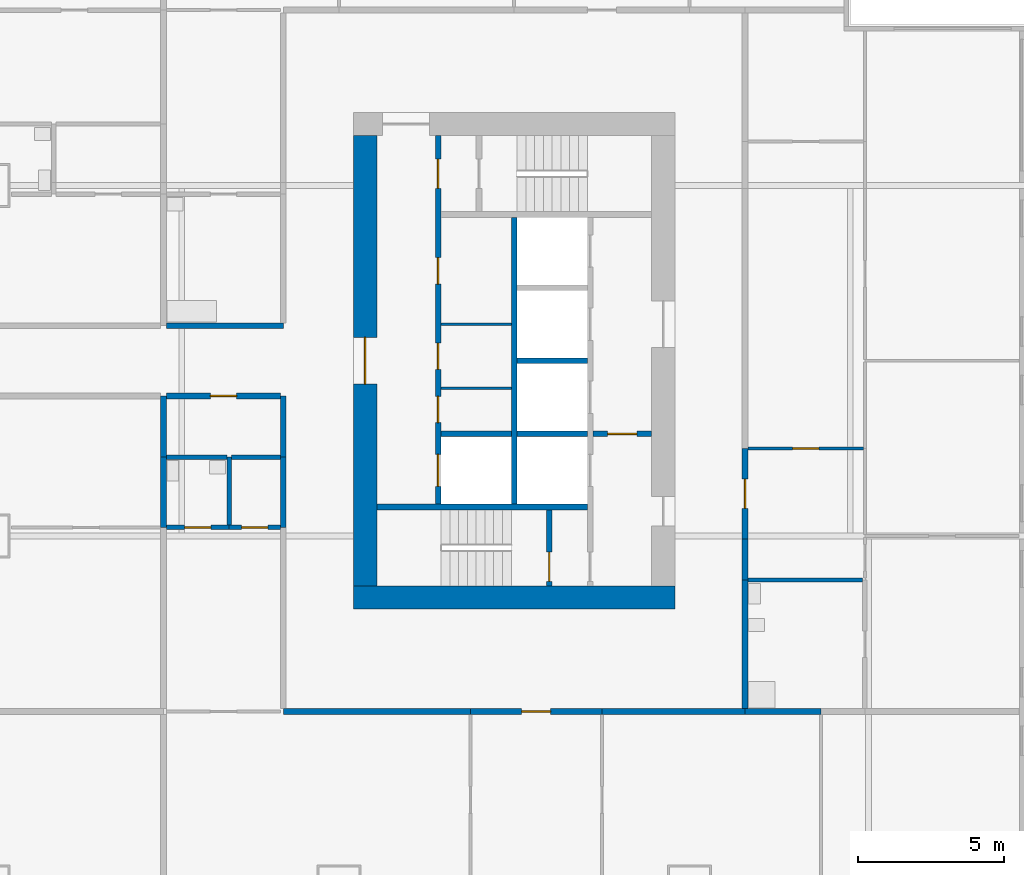
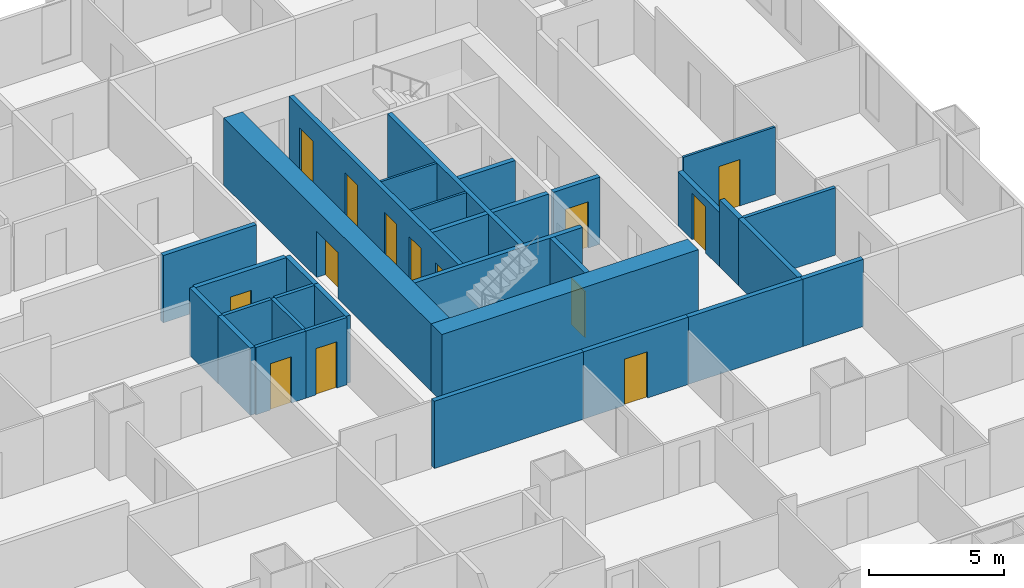
# One storey, part 7 of 14: 32 walls, 14 doors, 14 openings.
"""IFC4 building model written with IfcOpenShell, lengths in metres."""

from ifc_helpers import new_model, si_unit, direction, frame, frame_2d, origin, place, context, subcontext, project, spatial, rectangle, extrude, material, layer, layer_set, type_object, element, fill, save


model = new_model("IFC4")

# Units and contexts
model_context = context("Model", 3, precision=1e-05, world=origin(), true_north=direction((0.0, 1.0)))
body_context = subcontext(model_context, "Body", "Model", "MODEL_VIEW")
ifc_project = project(units=[si_unit("LENGTHUNIT", "METRE"), si_unit("AREAUNIT", "SQUARE_METRE"), si_unit("VOLUMEUNIT", "CUBIC_METRE"), si_unit("PLANEANGLEUNIT", "RADIAN"), si_unit("MASSUNIT", "GRAM", prefix="KILO")], contexts=[model_context])

# Site, building, storey
site_placement = place(None, origin())
site = spatial("IfcSite", under=ifc_project, at=site_placement, CompositionType="ELEMENT")
building_placement = place(site_placement, origin())
building = spatial("IfcBuilding", under=site, at=building_placement, Name="Kitamizu Gate Tower and Museum", CompositionType="ELEMENT")
storey_placement = place(building_placement, frame((0.0, 0.0, 54.14990234375)))
storey = spatial("IfcBuildingStorey", under=building, at=storey_placement, Name="L12", CompositionType="ELEMENT", Elevation=54.14990234375)

# Wall
ifc_material_1 = material(Name="Concrete Fc60", Category="concrete")
ifc_layer_1 = layer(ifc_material_1, 0.800048828125)
ifc_layer_set_1 = layer_set([ifc_layer_1], Name="Concrete Fc60")
wall_type_1 = type_object("IfcWallType", Name="Core wall 800", PredefinedType="SHEAR", material=ifc_layer_set_1)
wall_1_placement = place(storey_placement, frame((59.5, 21.89990234375, 0.0), z_axis=(0.0, 0.0, 1.0), x_axis=(-1.0, 0.0, 0.0)))
element("IfcWall", 1, at=wall_1_placement, inside=storey, type_object=wall_type_1, Name="Core wall ES", PredefinedType="SHEAR", context=body_context, shape_type="SweptSolid", body=[
    extrude(rectangle(XDim=11.0, YDim=0.800048828125, at=frame_2d((5.5, 0.0))), origin(), (0.0, 0.0, 1.0), 3.050048828125),
])

# Wall, opening, door
wall_2_placement = place(storey_placement, frame((48.89990234375, 22.300048828125, 0.0), z_axis=(0.0, 0.0, 1.0), x_axis=(0.0, 1.0, 0.0)))
wall_2 = element("IfcWall", 2, at=wall_2_placement, inside=storey, type_object=wall_type_1, Name="Core wall EARC", PredefinedType="SHEAR", context=body_context, shape_type="SweptSolid", body=[
    extrude(rectangle(XDim=15.39990234375, YDim=0.800048828125, at=frame_2d((7.699951171875, 0.0))), origin(), (0.0, 0.0, 1.0), 3.050048828125),
])
opening_1_placement = place(wall_2_placement, frame((6.89990234375, 0.0, 0.0)))
opening_1 = element("IfcOpeningElement", 3, at=opening_1_placement, cuts=wall_2, Name="Opening L12-096", PredefinedType="OPENING", context=body_context, shape_type="SweptSolid", body=[
    extrude(rectangle(XDim=1.60009765625, YDim=2.10009765625, at=frame_2d((0.800048828125, 1.050048828125))), frame((0.0, 0.41015625, 0.0), z_axis=(0.0, -1.0, 0.0), x_axis=(1.0, 0.0, 0.0)), (0.0, 0.0, 1.0), 0.820068359375),
])
ifc_material_2 = material(Name="Timber door set", Category="wood")
door_type_1 = type_object("IfcDoorType", Name="Entrance door 1600", OperationType="DOUBLE_DOOR_SINGLE_SWING", PredefinedType="DOOR", material=ifc_material_2)
door_1_placement = place(opening_1_placement, origin())
door_1 = element("IfcDoor", 4, at=door_1_placement, inside=storey, type_object=door_type_1, Name="Lobby door L12-096", OperationType="DOUBLE_DOOR_SINGLE_SWING", OverallHeight=2.10009765625, OverallWidth=1.60009765625, PredefinedType="DOOR", context=body_context, shape_type="SweptSolid", body=[
    extrude(rectangle(XDim=1.60009765625, YDim=2.10009765625, at=frame_2d((0.800048828125, 1.050048828125))), frame((0.0, 0.02490234375, 0.0), z_axis=(0.0, -1.0, 0.0), x_axis=(1.0, 0.0, 0.0)), (0.0, 0.0, 1.0), 0.050048828125),
])
fill(opening_1, door_1)

# Walls
ifc_material_3 = material(Name="Gypsum board on galvanised stud")
ifc_layer_2 = layer(ifc_material_3, 0.10009765625)
ifc_layer_set_2 = layer_set([ifc_layer_2], Name="Gypsum board on galvanised stud")
wall_type_2 = type_object("IfcWallType", Name="Partition 100", PredefinedType="PARTITIONING", material=ifc_layer_set_2)
for number, where, z_axis, x_axis, name in (
    (5, (53.89990234375, 29.06005859375, 0.0), (0.0, 0.0, 1.0), (-1.0, 0.0, 0.0), "Partition EPF1"),
    (6, (53.89990234375, 31.25, 0.0), (0.0, 0.0, 1.0), (-1.0, 0.0, 0.0), "Partition EPF2"),
):
    element("IfcWall", number, at=place(storey_placement, frame(where, z_axis=z_axis, x_axis=x_axis)), inside=storey, type_object=wall_type_2, Name=name, PredefinedType="PARTITIONING", context=body_context, shape_type="SweptSolid", body=[
        extrude(rectangle(XDim=2.39990234375, YDim=0.10009765625, at=frame_2d((1.199951171875, 0.0))), origin(), (0.0, 0.0, 1.0), 3.050048828125),
    ])

# Wall, opening, door
ifc_material_4 = material(Name="Gypsum board on galvanised stud")
ifc_layer_3 = layer(ifc_material_4, 0.10009765625)
ifc_layer_set_3 = layer_set([ifc_layer_3], Name="Gypsum board on galvanised stud")
wall_type_3 = type_object("IfcWallType", Name="Partition 100 NOT RATED", PredefinedType="PARTITIONING", material=ifc_layer_set_3)
wall_3_placement = place(storey_placement, frame((65.949951171875, 27.0, 0.0), z_axis=(0.0, 0.0, 1.0), x_axis=(-1.0, 0.0, 0.0)))
wall_3 = element("IfcWall", 7, at=wall_3_placement, inside=storey, type_object=wall_type_3, Name="Partition L12-200", PredefinedType="PARTITIONING", context=body_context, shape_type="SweptSolid", body=[
    extrude(rectangle(XDim=3.949951171875, YDim=0.10009765625, at=frame_2d((1.97509765625, 0.0))), origin(), (0.0, 0.0, 1.0), 3.050048828125),
])
opening_2_placement = place(wall_3_placement, frame((1.52490234375, 0.0, 0.0)))
opening_2 = element("IfcOpeningElement", 8, at=opening_2_placement, cuts=wall_3, Name="Opening L12-071", PredefinedType="OPENING", context=body_context, shape_type="SweptSolid", body=[
    extrude(rectangle(XDim=0.89990234375, YDim=2.10009765625, at=frame_2d((0.449951171875, 1.050048828125))), frame((0.0, 0.06005859375, 0.0), z_axis=(0.0, -1.0, 0.0), x_axis=(1.0, 0.0, 0.0)), (0.0, 0.0, 1.0), 0.1201171875),
])
ifc_material_5 = material(Name="Timber door set", Category="wood")
door_type_2 = type_object("IfcDoorType", Name="Room door 900", OperationType="NOTDEFINED", PredefinedType="DOOR", material=ifc_material_5)
door_2_placement = place(opening_2_placement, origin())
door_2 = element("IfcDoor", 9, at=door_2_placement, inside=storey, type_object=door_type_2, Name="Door L12-071", OperationType="SINGLE_SWING_LEFT", OverallHeight=2.10009765625, OverallWidth=0.89990234375, PredefinedType="DOOR", context=body_context, shape_type="SweptSolid", body=[
    extrude(rectangle(XDim=0.89990234375, YDim=2.10009765625, at=frame_2d((0.449951171875, 1.050048828125))), frame((0.0, 0.02490234375, 0.0), z_axis=(0.0, -1.0, 0.0), x_axis=(1.0, 0.0, 0.0)), (0.0, 0.0, 1.0), 0.050048828125),
])
fill(opening_2, door_2)

ifc_material_6 = material(Name="Gypsum board on galvanised stud")
ifc_layer_4 = layer(ifc_material_6, 0.14990234375)
ifc_layer_set_4 = layer_set([ifc_layer_4], Name="Gypsum board on galvanised stud")
wall_type_4 = type_object("IfcWallType", Name="Partition 150", PredefinedType="PARTITIONING", material=ifc_layer_set_4)
wall_4_placement = place(storey_placement, frame((44.25, 24.300048828125, 0.0), z_axis=(0.0, 0.0, 1.0), x_axis=(-1.0, 0.0, 0.0)))
wall_4 = element("IfcWall", 10, at=wall_4_placement, inside=storey, type_object=wall_type_4, Name="Partition L12-110", PredefinedType="PARTITIONING", context=body_context, shape_type="SweptSolid", body=[
    extrude(rectangle(XDim=2.14990234375, YDim=0.14990234375, at=frame_2d((1.074951171875, 0.0))), origin(), (0.0, 0.0, 1.0), 3.050048828125),
])
opening_3_placement = place(wall_4_placement, frame((0.625, 0.0, 0.0)))
opening_3 = element("IfcOpeningElement", 11, at=opening_3_placement, cuts=wall_4, Name="Opening L12-040", PredefinedType="OPENING", context=body_context, shape_type="SweptSolid", body=[
    extrude(rectangle(XDim=0.89990234375, YDim=2.10009765625, at=frame_2d((0.449951171875, 1.050048828125))), frame((0.0, 0.0849609375, 0.0), z_axis=(0.0, -1.0, 0.0), x_axis=(1.0, 0.0, 0.0)), (0.0, 0.0, 1.0), 0.169921875),
])
ifc_material_7 = material(Name="Timber door set", Category="wood")
door_type_3 = type_object("IfcDoorType", Name="Bathroom door 900", OperationType="NOTDEFINED", PredefinedType="DOOR", material=ifc_material_7)
door_3_placement = place(opening_3_placement, frame((0.89990234375, 0.0, 0.0), x_axis=(-1.0, 0.0, 0.0)))
door_3 = element("IfcDoor", 12, at=door_3_placement, inside=storey, type_object=door_type_3, Name="Bathroom door L12-040", OperationType="SINGLE_SWING_RIGHT", OverallHeight=2.10009765625, OverallWidth=0.89990234375, PredefinedType="DOOR", context=body_context, shape_type="SweptSolid", body=[
    extrude(rectangle(XDim=0.89990234375, YDim=2.10009765625, at=frame_2d((0.449951171875, 1.050048828125))), frame((0.0, 0.02490234375, 0.0), z_axis=(0.0, -1.0, 0.0), x_axis=(1.0, 0.0, 0.0)), (0.0, 0.0, 1.0), 0.050048828125),
])
fill(opening_3, door_3)

wall_5_placement = place(storey_placement, frame((46.0, 24.300048828125, 0.0), z_axis=(0.0, 0.0, 1.0), x_axis=(-1.0, 0.0, 0.0)))
wall_5 = element("IfcWall", 13, at=wall_5_placement, inside=storey, type_object=wall_type_4, Name="Partition L12-111", PredefinedType="PARTITIONING", context=body_context, shape_type="SweptSolid", body=[
    extrude(rectangle(XDim=1.75, YDim=0.14990234375, at=frame_2d((0.875, 0.0))), origin(), (0.0, 0.0, 1.0), 3.050048828125),
])
opening_4_placement = place(wall_5_placement, frame((0.425048828125, 0.0, 0.0)))
opening_4 = element("IfcOpeningElement", 14, at=opening_4_placement, cuts=wall_5, Name="Opening L12-041", PredefinedType="OPENING", context=body_context, shape_type="SweptSolid", body=[
    extrude(rectangle(XDim=0.89990234375, YDim=2.10009765625, at=frame_2d((0.449951171875, 1.050048828125))), frame((0.0, 0.0849609375, 0.0), z_axis=(0.0, -1.0, 0.0), x_axis=(1.0, 0.0, 0.0)), (0.0, 0.0, 1.0), 0.169921875),
])
door_4_placement = place(opening_4_placement, frame((0.89990234375, 0.0, 0.0), x_axis=(-1.0, 0.0, 0.0)))
door_4 = element("IfcDoor", 15, at=door_4_placement, inside=storey, type_object=door_type_3, Name="Bathroom door L12-041", OperationType="SINGLE_SWING_LEFT", OverallHeight=2.10009765625, OverallWidth=0.89990234375, PredefinedType="DOOR", context=body_context, shape_type="SweptSolid", body=[
    extrude(rectangle(XDim=0.89990234375, YDim=2.10009765625, at=frame_2d((0.449951171875, 1.050048828125))), frame((0.0, 0.02490234375, 0.0), z_axis=(0.0, -1.0, 0.0), x_axis=(1.0, 0.0, 0.0)), (0.0, 0.0, 1.0), 0.050048828125),
])
fill(opening_4, door_4)

# Walls
wall_6_placement = place(storey_placement, frame((44.25, 24.375, 0.0), z_axis=(0.0, 0.0, 1.0), x_axis=(0.0, 1.0, 0.0)))
element("IfcWall", 16, at=wall_6_placement, inside=storey, type_object=wall_type_4, Name="Partition L12-113", PredefinedType="PARTITIONING", context=body_context, shape_type="SweptSolid", body=[
    extrude(rectangle(XDim=2.324951171875, YDim=0.14990234375, at=frame_2d((1.16259765625, 0.0))), origin(), (0.0, 0.0, 1.0), 3.050048828125),
])
wall_7_placement = place(storey_placement, frame((44.175048828125, 26.699951171875, 0.0), z_axis=(0.0, 0.0, 1.0), x_axis=(-1.0, 0.0, 0.0)))
element("IfcWall", 17, at=wall_7_placement, inside=storey, type_object=wall_type_4, Name="Partition L12-114", PredefinedType="PARTITIONING", context=body_context, shape_type="SweptSolid", body=[
    extrude(rectangle(XDim=2.074951171875, YDim=0.14990234375, at=frame_2d((1.03759765625, 0.0))), origin(), (0.0, 0.0, 1.0), 3.050048828125),
])
wall_8_placement = place(storey_placement, frame((46.0, 26.699951171875, 0.0), z_axis=(0.0, 0.0, 1.0), x_axis=(-1.0, 0.0, 0.0)))
element("IfcWall", 18, at=wall_8_placement, inside=storey, type_object=wall_type_4, Name="Partition L12-115", PredefinedType="PARTITIONING", context=body_context, shape_type="SweptSolid", body=[
    extrude(rectangle(XDim=1.675048828125, YDim=0.14990234375, at=frame_2d((0.83740234375, 0.0))), origin(), (0.0, 0.0, 1.0), 3.050048828125),
])
wall_9_placement = place(storey_placement, frame((65.925048828125, 22.5, 0.0), z_axis=(0.0, 0.0, 1.0), x_axis=(-1.0, 0.0, 0.0)))
element("IfcWall", 19, at=wall_9_placement, inside=storey, type_object=wall_type_4, Name="Partition L12-198", PredefinedType="PARTITIONING", context=body_context, shape_type="SweptSolid", body=[
    extrude(rectangle(XDim=3.925048828125, YDim=0.14990234375, at=frame_2d((1.96240234375, 0.0))), origin(), (0.0, 0.0, 1.0), 3.050048828125),
])
ifc_material_8 = material(Name="Gypsum board on galvanised stud")
ifc_layer_5 = layer(ifc_material_8, 0.199951171875)
ifc_layer_set_5 = layer_set([ifc_layer_5], Name="Gypsum board on galvanised stud")
wall_type_5 = type_object("IfcWallType", Name="Partition 200", PredefinedType="PARTITIONING", material=ifc_layer_set_5)
wall_10_placement = place(storey_placement, frame((42.0, 24.300048828125, 0.0), z_axis=(0.0, 0.0, 1.0), x_axis=(0.0, 1.0, 0.0)))
element("IfcWall", 20, at=wall_10_placement, inside=storey, type_object=wall_type_5, Name="Partition L12-072", PredefinedType="PARTITIONING", context=body_context, shape_type="SweptSolid", body=[
    extrude(rectangle(XDim=2.39990234375, YDim=0.199951171875, at=frame_2d((1.199951171875, 0.0))), origin(), (0.0, 0.0, 1.0), 3.050048828125),
])
wall_11_placement = place(storey_placement, frame((42.0, 26.699951171875, 0.0), z_axis=(0.0, 0.0, 1.0), x_axis=(0.0, 1.0, 0.0)))
element("IfcWall", 21, at=wall_11_placement, inside=storey, type_object=wall_type_5, Name="Partition L12-073", PredefinedType="PARTITIONING", context=body_context, shape_type="SweptSolid", body=[
    extrude(rectangle(XDim=2.10009765625, YDim=0.199951171875, at=frame_2d((1.050048828125, 0.0))), origin(), (0.0, 0.0, 1.0), 3.050048828125),
])
wall_12_placement = place(storey_placement, frame((52.5, 18.0, 0.0), z_axis=(0.0, 0.0, 1.0), x_axis=(-1.0, 0.0, 0.0)))
element("IfcWall", 22, at=wall_12_placement, inside=storey, type_object=wall_type_5, Name="Partition L12-102", PredefinedType="PARTITIONING", context=body_context, shape_type="SweptSolid", body=[
    extrude(rectangle(XDim=6.39990234375, YDim=0.199951171875, at=frame_2d((3.199951171875, 0.0))), origin(), (0.0, 0.0, 1.0), 3.050048828125),
])

# Wall, opening, door
wall_13_placement = place(storey_placement, frame((57.0, 18.0, 0.0), z_axis=(0.0, 0.0, 1.0), x_axis=(-1.0, 0.0, 0.0)))
wall_13 = element("IfcWall", 23, at=wall_13_placement, inside=storey, type_object=wall_type_5, Name="Partition L12-104", PredefinedType="PARTITIONING", context=body_context, shape_type="SweptSolid", body=[
    extrude(rectangle(XDim=4.5, YDim=0.199951171875, at=frame_2d((2.25, 0.0))), origin(), (0.0, 0.0, 1.0), 3.050048828125),
])
opening_5_placement = place(wall_13_placement, frame((1.75, 0.0, 0.0)))
opening_5 = element("IfcOpeningElement", 24, at=opening_5_placement, cuts=wall_13, Name="Opening L12-026", PredefinedType="OPENING", context=body_context, shape_type="SweptSolid", body=[
    extrude(rectangle(XDim=1.0, YDim=2.10009765625, at=frame_2d((0.5, 1.050048828125))), frame((0.0, 0.10986328125, 0.0), z_axis=(0.0, -1.0, 0.0), x_axis=(1.0, 0.0, 0.0)), (0.0, 0.0, 1.0), 0.219970703125),
])
ifc_material_9 = material(Name="Timber door set", Category="wood")
door_type_4 = type_object("IfcDoorType", Name="Flat entrance door 1000", OperationType="NOTDEFINED", PredefinedType="DOOR", material=ifc_material_9)
door_5_placement = place(opening_5_placement, origin())
door_5 = element("IfcDoor", 25, at=door_5_placement, inside=storey, type_object=door_type_4, Name="Flat entrance door L12-026", OperationType="SINGLE_SWING_LEFT", OverallHeight=2.10009765625, OverallWidth=1.0, PredefinedType="DOOR", context=body_context, shape_type="SweptSolid", body=[
    extrude(rectangle(XDim=1.0, YDim=2.10009765625, at=frame_2d((0.5, 1.050048828125))), frame((0.0, 0.02490234375, 0.0), z_axis=(0.0, -1.0, 0.0), x_axis=(1.0, 0.0, 0.0)), (0.0, 0.0, 1.0), 0.050048828125),
])
fill(opening_5, door_5)

# Walls
wall_14_placement = place(storey_placement, frame((64.5, 18.0, 0.0), z_axis=(0.0, 0.0, 1.0), x_axis=(-1.0, 0.0, 0.0)))
element("IfcWall", 26, at=wall_14_placement, inside=storey, type_object=wall_type_5, Name="Partition L12-106", PredefinedType="PARTITIONING", context=body_context, shape_type="SweptSolid", body=[
    extrude(rectangle(XDim=2.60009765625, YDim=0.199951171875, at=frame_2d((1.300048828125, 0.0))), origin(), (0.0, 0.0, 1.0), 3.050048828125),
])
wall_15_placement = place(storey_placement, frame((61.89990234375, 18.0, 0.0), z_axis=(0.0, 0.0, 1.0), x_axis=(-1.0, 0.0, 0.0)))
element("IfcWall", 27, at=wall_15_placement, inside=storey, type_object=wall_type_5, Name="Partition L12-107", PredefinedType="PARTITIONING", context=body_context, shape_type="SweptSolid", body=[
    extrude(rectangle(XDim=4.89990234375, YDim=0.199951171875, at=frame_2d((2.449951171875, 0.0))), origin(), (0.0, 0.0, 1.0), 3.050048828125),
])
wall_16_placement = place(storey_placement, frame((46.10009765625, 24.300048828125, 0.0), z_axis=(0.0, 0.0, 1.0), x_axis=(0.0, 1.0, 0.0)))
element("IfcWall", 28, at=wall_16_placement, inside=storey, type_object=wall_type_5, Name="Partition L12-116", PredefinedType="PARTITIONING", context=body_context, shape_type="SweptSolid", body=[
    extrude(rectangle(XDim=2.39990234375, YDim=0.199951171875, at=frame_2d((1.199951171875, 0.0))), origin(), (0.0, 0.0, 1.0), 3.050048828125),
])
wall_17_placement = place(storey_placement, frame((46.10009765625, 26.699951171875, 0.0), z_axis=(0.0, 0.0, 1.0), x_axis=(0.0, 1.0, 0.0)))
element("IfcWall", 29, at=wall_17_placement, inside=storey, type_object=wall_type_5, Name="Partition L12-117", PredefinedType="PARTITIONING", context=body_context, shape_type="SweptSolid", body=[
    extrude(rectangle(XDim=2.10009765625, YDim=0.199951171875, at=frame_2d((1.050048828125, 0.0))), origin(), (0.0, 0.0, 1.0), 3.050048828125),
])

# Wall, opening, door
wall_18_placement = place(storey_placement, frame((46.0, 28.800048828125, 0.0), z_axis=(0.0, 0.0, 1.0), x_axis=(-1.0, 0.0, 0.0)))
wall_18 = element("IfcWall", 30, at=wall_18_placement, inside=storey, type_object=wall_type_5, Name="Partition L12-118", PredefinedType="PARTITIONING", context=body_context, shape_type="SweptSolid", body=[
    extrude(rectangle(XDim=3.89990234375, YDim=0.199951171875, at=frame_2d((1.949951171875, 0.0))), origin(), (0.0, 0.0, 1.0), 3.050048828125),
])
opening_6_placement = place(wall_18_placement, frame((1.5, 0.0, 0.0)))
opening_6 = element("IfcOpeningElement", 31, at=opening_6_placement, cuts=wall_18, Name="Opening L12-042", PredefinedType="OPENING", context=body_context, shape_type="SweptSolid", body=[
    extrude(rectangle(XDim=0.89990234375, YDim=2.10009765625, at=frame_2d((0.449951171875, 1.050048828125))), frame((0.0, 0.10986328125, 0.0), z_axis=(0.0, -1.0, 0.0), x_axis=(1.0, 0.0, 0.0)), (0.0, 0.0, 1.0), 0.219970703125),
])
ifc_material_10 = material(Name="Timber door set", Category="wood")
door_type_5 = type_object("IfcDoorType", Name="Store door 900", OperationType="NOTDEFINED", PredefinedType="DOOR", material=ifc_material_10)
door_6_placement = place(opening_6_placement, origin())
door_6 = element("IfcDoor", 32, at=door_6_placement, inside=storey, type_object=door_type_5, Name="Service entrance door L12-042", OperationType="SINGLE_SWING_LEFT", OverallHeight=2.10009765625, OverallWidth=0.89990234375, PredefinedType="DOOR", context=body_context, shape_type="SweptSolid", body=[
    extrude(rectangle(XDim=0.89990234375, YDim=2.10009765625, at=frame_2d((0.449951171875, 1.050048828125))), frame((0.0, 0.02490234375, 0.0), z_axis=(0.0, -1.0, 0.0), x_axis=(1.0, 0.0, 0.0)), (0.0, 0.0, 1.0), 0.050048828125),
])
fill(opening_6, door_6)

# Walls
wall_19_placement = place(storey_placement, frame((42.10009765625, 31.199951171875, 0.0), z_axis=(0.0, 0.0, 1.0), x_axis=(1.0, 0.0, 0.0)))
element("IfcWall", 33, at=wall_19_placement, inside=storey, type_object=wall_type_5, Name="Partition L12-187", PredefinedType="PARTITIONING", context=body_context, shape_type="SweptSolid", body=[
    extrude(rectangle(XDim=4.0, YDim=0.199951171875, at=frame_2d((2.0, 0.0))), origin(), (0.0, 0.0, 1.0), 3.050048828125),
])
wall_20_placement = place(storey_placement, frame((61.89990234375, 22.5, 0.0), z_axis=(0.0, 0.0, 1.0), x_axis=(0.0, -1.0, 0.0)))
element("IfcWall", 34, at=wall_20_placement, inside=storey, type_object=wall_type_5, Name="Partition L12-199", PredefinedType="PARTITIONING", context=body_context, shape_type="SweptSolid", body=[
    extrude(rectangle(XDim=4.39990234375, YDim=0.199951171875, at=frame_2d((2.199951171875, 0.0))), origin(), (0.0, 0.0, 1.0), 3.050048828125),
])

# Wall, opening, door
wall_21_placement = place(storey_placement, frame((61.89990234375, 27.0, 0.0), z_axis=(0.0, 0.0, 1.0), x_axis=(0.0, -1.0, 0.0)))
wall_21 = element("IfcWall", 35, at=wall_21_placement, inside=storey, type_object=wall_type_5, Name="Partition L12-201", PredefinedType="PARTITIONING", context=body_context, shape_type="SweptSolid", body=[
    extrude(rectangle(XDim=3.10009765625, YDim=0.199951171875, at=frame_2d((1.550048828125, 0.0))), origin(), (0.0, 0.0, 1.0), 2.4501953125),
])
opening_7_placement = place(wall_21_placement, frame((1.050048828125, 0.0, 0.0)))
opening_7 = element("IfcOpeningElement", 36, at=opening_7_placement, cuts=wall_21, Name="Opening L12-069", PredefinedType="OPENING", context=body_context, shape_type="SweptSolid", body=[
    extrude(rectangle(XDim=1.0, YDim=2.10009765625, at=frame_2d((0.5, 1.050048828125))), frame((0.0, 0.10986328125, 0.0), z_axis=(0.0, -1.0, 0.0), x_axis=(1.0, 0.0, 0.0)), (0.0, 0.0, 1.0), 0.219970703125),
])
door_7_placement = place(opening_7_placement, origin())
door_7 = element("IfcDoor", 37, at=door_7_placement, inside=storey, type_object=door_type_4, Name="Flat entrance door L12-069", OperationType="SINGLE_SWING_RIGHT", OverallHeight=2.10009765625, OverallWidth=1.0, PredefinedType="DOOR", context=body_context, shape_type="SweptSolid", body=[
    extrude(rectangle(XDim=1.0, YDim=2.10009765625, at=frame_2d((0.5, 1.050048828125))), frame((0.0, 0.02490234375, 0.0), z_axis=(0.0, -1.0, 0.0), x_axis=(1.0, 0.0, 0.0)), (0.0, 0.0, 1.0), 0.050048828125),
])
fill(opening_7, door_7)

# Wall
wall_22_placement = place(storey_placement, frame((61.89990234375, 23.89990234375, 0.0), z_axis=(0.0, 0.0, 1.0), x_axis=(0.0, -1.0, 0.0)))
element("IfcWall", 38, at=wall_22_placement, inside=storey, type_object=wall_type_5, Name="Partition L12-202", PredefinedType="PARTITIONING", context=body_context, shape_type="SweptSolid", body=[
    extrude(rectangle(XDim=1.39990234375, YDim=0.199951171875, at=frame_2d((0.699951171875, 0.0))), origin(), (0.0, 0.0, 1.0), 3.050048828125),
])

# Wall, openings, doors
ifc_material_11 = material(Name="Concrete Fc42", Category="concrete")
ifc_layer_6 = layer(ifc_material_11, 0.199951171875)
ifc_layer_set_6 = layer_set([ifc_layer_6], Name="Concrete Fc42")
wall_type_6 = type_object("IfcWallType", Name="Shaft wall 200", PredefinedType="SOLIDWALL", material=ifc_layer_set_6)
wall_23_placement = place(storey_placement, frame((51.39990234375, 25.10009765625, 0.0), z_axis=(0.0, 0.0, 1.0), x_axis=(0.0, 1.0, 0.0)))
wall_23 = element("IfcWall", 39, at=wall_23_placement, inside=storey, type_object=wall_type_6, Name="Shaft wall EEAST", PredefinedType="SOLIDWALL", context=body_context, shape_type="SweptSolid", body=[
    extrude(rectangle(XDim=12.599853515625, YDim=0.199951171875, at=frame_2d((6.2998046875, 0.0))), origin(), (0.0, 0.0, 1.0), 3.050048828125),
])
opening_8_placement = place(wall_23_placement, frame((0.60009765625, 0.0, 0.0)))
opening_8 = element("IfcOpeningElement", 40, at=opening_8_placement, cuts=wall_23, Name="Opening LD", PredefinedType="OPENING", context=body_context, shape_type="SweptSolid", body=[
    extrude(rectangle(XDim=1.10009765625, YDim=2.10009765625, at=frame_2d((0.550048828125, 1.050048828125))), frame((0.0, 0.10986328125, 0.0), z_axis=(0.0, -1.0, 0.0), x_axis=(1.0, 0.0, 0.0)), (0.0, 0.0, 1.0), 0.219970703125),
])
opening_9_placement = place(wall_23_placement, frame((10.800048828125, 0.0, 0.0)))
opening_9 = element("IfcOpeningElement", 41, at=opening_9_placement, cuts=wall_23, Name="Opening L12-090", PredefinedType="OPENING", context=body_context, shape_type="SweptSolid", body=[
    extrude(rectangle(XDim=1.0, YDim=2.10009765625, at=frame_2d((0.5, 1.050048828125))), frame((0.0, 0.10986328125, 0.0), z_axis=(0.0, -1.0, 0.0), x_axis=(1.0, 0.0, 0.0)), (0.0, 0.0, 1.0), 0.219970703125),
])
opening_10_placement = place(wall_23_placement, frame((2.780029296875, 0.0, 0.0)))
opening_10 = element("IfcOpeningElement", 42, at=opening_10_placement, cuts=wall_23, Name="Opening L12-097", PredefinedType="OPENING", context=body_context, shape_type="SweptSolid", body=[
    extrude(rectangle(XDim=0.89990234375, YDim=2.10009765625, at=frame_2d((0.449951171875, 1.050048828125))), frame((0.0, 0.10986328125, 0.0), z_axis=(0.0, -1.0, 0.0), x_axis=(1.0, 0.0, 0.0)), (0.0, 0.0, 1.0), 0.219970703125),
])
opening_11_placement = place(wall_23_placement, frame((4.60498046875, 0.0, 0.0)))
opening_11 = element("IfcOpeningElement", 43, at=opening_11_placement, cuts=wall_23, Name="Opening L12-098", PredefinedType="OPENING", context=body_context, shape_type="SweptSolid", body=[
    extrude(rectangle(XDim=0.89990234375, YDim=2.10009765625, at=frame_2d((0.449951171875, 1.050048828125))), frame((0.0, 0.10986328125, 0.0), z_axis=(0.0, -1.0, 0.0), x_axis=(1.0, 0.0, 0.0)), (0.0, 0.0, 1.0), 0.219970703125),
])
opening_12_placement = place(wall_23_placement, frame((7.52490234375, 0.0, 0.0)))
opening_12 = element("IfcOpeningElement", 44, at=opening_12_placement, cuts=wall_23, Name="Opening L12-099", PredefinedType="OPENING", context=body_context, shape_type="SweptSolid", body=[
    extrude(rectangle(XDim=0.89990234375, YDim=2.10009765625, at=frame_2d((0.449951171875, 1.050048828125))), frame((0.0, 0.10986328125, 0.0), z_axis=(0.0, -1.0, 0.0), x_axis=(1.0, 0.0, 0.0)), (0.0, 0.0, 1.0), 0.219970703125),
])
ifc_material_12 = material(Name="Hollow metal door set")
door_type_6 = type_object("IfcDoorType", Name="Fire door 1000", OperationType="NOTDEFINED", PredefinedType="DOOR", material=ifc_material_12)
door_8_placement = place(opening_9_placement, frame((1.0, 0.0, 0.0), x_axis=(-1.0, 0.0, 0.0)))
door_8 = element("IfcDoor", 45, at=door_8_placement, inside=storey, type_object=door_type_6, Name="Stair lobby door L12-090", OperationType="SINGLE_SWING_RIGHT", OverallHeight=2.10009765625, OverallWidth=1.0, PredefinedType="DOOR", context=body_context, shape_type="SweptSolid", body=[
    extrude(rectangle(XDim=1.0, YDim=2.10009765625, at=frame_2d((0.5, 1.050048828125))), frame((0.0, 0.02490234375, 0.0), z_axis=(0.0, -1.0, 0.0), x_axis=(1.0, 0.0, 0.0)), (0.0, 0.0, 1.0), 0.050048828125),
])
fill(opening_9, door_8)
ifc_material_13 = material(Name="Hollow metal door set")
door_type_7 = type_object("IfcDoorType", Name="Landing door 1100", OperationType="SLIDING_TO_LEFT", PredefinedType="DOOR", material=ifc_material_13)
door_9_placement = place(opening_8_placement, origin())
door_9 = element("IfcDoor", 46, at=door_9_placement, inside=storey, type_object=door_type_7, Name="Landing door ESV1", OperationType="SLIDING_TO_LEFT", OverallHeight=2.10009765625, OverallWidth=1.10009765625, PredefinedType="DOOR", context=body_context, shape_type="SweptSolid", body=[
    extrude(rectangle(XDim=1.10009765625, YDim=2.10009765625, at=frame_2d((0.550048828125, 1.050048828125))), frame((0.0, 0.02490234375, 0.0), z_axis=(0.0, -1.0, 0.0), x_axis=(1.0, 0.0, 0.0)), (0.0, 0.0, 1.0), 0.050048828125),
])
fill(opening_8, door_9)
ifc_material_14 = material(Name="Timber door set", Category="wood")
door_type_8 = type_object("IfcDoorType", Name="Service door 900", OperationType="NOTDEFINED", PredefinedType="DOOR", material=ifc_material_14)
door_10_placement = place(opening_10_placement, frame((0.89990234375, 0.0, 0.0), x_axis=(-1.0, 0.0, 0.0)))
door_10 = element("IfcDoor", 47, at=door_10_placement, inside=storey, type_object=door_type_8, Name="Service door L12-097", OperationType="SINGLE_SWING_RIGHT", OverallHeight=2.10009765625, OverallWidth=0.89990234375, PredefinedType="DOOR", context=body_context, shape_type="SweptSolid", body=[
    extrude(rectangle(XDim=0.89990234375, YDim=2.10009765625, at=frame_2d((0.449951171875, 1.050048828125))), frame((0.0, 0.02490234375, 0.0), z_axis=(0.0, -1.0, 0.0), x_axis=(1.0, 0.0, 0.0)), (0.0, 0.0, 1.0), 0.050048828125),
])
fill(opening_10, door_10)
door_11_placement = place(opening_11_placement, frame((0.89990234375, 0.0, 0.0), x_axis=(-1.0, 0.0, 0.0)))
door_11 = element("IfcDoor", 48, at=door_11_placement, inside=storey, type_object=door_type_8, Name="Service door L12-098", OperationType="SINGLE_SWING_LEFT", OverallHeight=2.10009765625, OverallWidth=0.89990234375, PredefinedType="DOOR", context=body_context, shape_type="SweptSolid", body=[
    extrude(rectangle(XDim=0.89990234375, YDim=2.10009765625, at=frame_2d((0.449951171875, 1.050048828125))), frame((0.0, 0.02490234375, 0.0), z_axis=(0.0, -1.0, 0.0), x_axis=(1.0, 0.0, 0.0)), (0.0, 0.0, 1.0), 0.050048828125),
])
fill(opening_11, door_11)
door_12_placement = place(opening_12_placement, frame((0.89990234375, 0.0, 0.0), x_axis=(-1.0, 0.0, 0.0)))
door_12 = element("IfcDoor", 49, at=door_12_placement, inside=storey, type_object=door_type_8, Name="Service door L12-099", OperationType="SINGLE_SWING_RIGHT", OverallHeight=2.10009765625, OverallWidth=0.89990234375, PredefinedType="DOOR", context=body_context, shape_type="SweptSolid", body=[
    extrude(rectangle(XDim=0.89990234375, YDim=2.10009765625, at=frame_2d((0.449951171875, 1.050048828125))), frame((0.0, 0.02490234375, 0.0), z_axis=(0.0, -1.0, 0.0), x_axis=(1.0, 0.0, 0.0)), (0.0, 0.0, 1.0), 0.050048828125),
])
fill(opening_12, door_12)

# Walls
wall_24_placement = place(storey_placement, frame((54.0, 25.10009765625, 0.0), z_axis=(0.0, 0.0, 1.0), x_axis=(0.0, 1.0, 0.0)))
element("IfcWall", 50, at=wall_24_placement, inside=storey, type_object=wall_type_6, Name="Shaft wall EMID", PredefinedType="SOLIDWALL", context=body_context, shape_type="SweptSolid", body=[
    extrude(rectangle(XDim=9.7998046875, YDim=0.199951171875, at=frame_2d((4.89990234375, 0.0))), origin(), (0.0, 0.0, 1.0), 3.050048828125),
])
wall_25_placement = place(storey_placement, frame((56.5, 25.0, 0.0), z_axis=(0.0, 0.0, 1.0), x_axis=(-1.0, 0.0, 0.0)))
element("IfcWall", 51, at=wall_25_placement, inside=storey, type_object=wall_type_6, Name="Shaft wall ESB", PredefinedType="SOLIDWALL", context=body_context, shape_type="SweptSolid", body=[
    extrude(rectangle(XDim=7.199951171875, YDim=0.199951171875, at=frame_2d((3.60009765625, 0.0))), origin(), (0.0, 0.0, 1.0), 3.050048828125),
])

# Wall, opening, door
wall_26_placement = place(storey_placement, frame((58.699951171875, 27.5, 0.0), z_axis=(0.0, 0.0, 1.0), x_axis=(-1.0, 0.0, 0.0)))
wall_26 = element("IfcWall", 52, at=wall_26_placement, inside=storey, type_object=wall_type_6, Name="Shaft wall EFFN", PredefinedType="SOLIDWALL", context=body_context, shape_type="SweptSolid", body=[
    extrude(rectangle(XDim=2.0, YDim=0.199951171875, at=frame_2d((1.0, 0.0))), origin(), (0.0, 0.0, 1.0), 3.050048828125),
])
opening_13_placement = place(wall_26_placement, frame((0.5, 0.0, 0.0)))
opening_13 = element("IfcOpeningElement", 53, at=opening_13_placement, cuts=wall_26, Name="Opening L12-092", PredefinedType="OPENING", context=body_context, shape_type="SweptSolid", body=[
    extrude(rectangle(XDim=1.0, YDim=2.10009765625, at=frame_2d((0.5, 1.050048828125))), frame((0.0, 0.10986328125, 0.0), z_axis=(0.0, -1.0, 0.0), x_axis=(1.0, 0.0, 0.0)), (0.0, 0.0, 1.0), 0.219970703125),
])
door_13_placement = place(opening_13_placement, origin())
door_13 = element("IfcDoor", 54, at=door_13_placement, inside=storey, type_object=door_type_6, Name="Fire-fighting lobby door L12-092", OperationType="SINGLE_SWING_LEFT", OverallHeight=2.10009765625, OverallWidth=1.0, PredefinedType="DOOR", context=body_context, shape_type="SweptSolid", body=[
    extrude(rectangle(XDim=1.0, YDim=2.10009765625, at=frame_2d((0.5, 1.050048828125))), frame((0.0, 0.02490234375, 0.0), z_axis=(0.0, -1.0, 0.0), x_axis=(1.0, 0.0, 0.0)), (0.0, 0.0, 1.0), 0.050048828125),
])
fill(opening_13, door_13)

wall_27_placement = place(storey_placement, frame((55.199951171875, 22.300048828125, 0.0), z_axis=(0.0, 0.0, 1.0), x_axis=(0.0, 1.0, 0.0)))
wall_27 = element("IfcWall", 55, at=wall_27_placement, inside=storey, type_object=wall_type_6, Name="Shaft wall ESZ", PredefinedType="SOLIDWALL", context=body_context, shape_type="SweptSolid", body=[
    extrude(rectangle(XDim=2.599853515625, YDim=0.199951171875, at=frame_2d((1.2998046875, 0.0))), origin(), (0.0, 0.0, 1.0), 3.050048828125),
])
opening_14_placement = place(wall_27_placement, frame((0.14990234375, 0.0, 0.0)))
opening_14 = element("IfcOpeningElement", 56, at=opening_14_placement, cuts=wall_27, Name="Opening L12-088", PredefinedType="OPENING", context=body_context, shape_type="SweptSolid", body=[
    extrude(rectangle(XDim=1.0, YDim=2.10009765625, at=frame_2d((0.5, 1.050048828125))), frame((0.0, 0.10986328125, 0.0), z_axis=(0.0, -1.0, 0.0), x_axis=(1.0, 0.0, 0.0)), (0.0, 0.0, 1.0), 0.219970703125),
])
door_14_placement = place(opening_14_placement, origin())
door_14 = element("IfcDoor", 57, at=door_14_placement, inside=storey, type_object=door_type_6, Name="Stair door L12-088", OperationType="SINGLE_SWING_RIGHT", OverallHeight=2.10009765625, OverallWidth=1.0, PredefinedType="DOOR", context=body_context, shape_type="SweptSolid", body=[
    extrude(rectangle(XDim=1.0, YDim=2.10009765625, at=frame_2d((0.5, 1.050048828125))), frame((0.0, 0.02490234375, 0.0), z_axis=(0.0, -1.0, 0.0), x_axis=(1.0, 0.0, 0.0)), (0.0, 0.0, 1.0), 0.050048828125),
])
fill(opening_14, door_14)

# Walls
for number, where, z_axis, x_axis, name in (
    (58, (56.5, 27.5, 0.0), (0.0, 0.0, 1.0), (-1.0, 0.0, 0.0), "Shaft wall EDVW0"),
    (59, (56.5, 30.0, 0.0), (0.0, 0.0, 1.0), (-1.0, 0.0, 0.0), "Shaft wall EDVW1"),
    (60, (53.89990234375, 27.5, 0.0), (0.0, 0.0, 1.0), (-1.0, 0.0, 0.0), "Shaft wall EDVE0"),
):
    element("IfcWall", number, at=place(storey_placement, frame(where, z_axis=z_axis, x_axis=x_axis)), inside=storey, type_object=wall_type_6, Name=name, PredefinedType="SOLIDWALL", context=body_context, shape_type="SweptSolid", body=[
        extrude(rectangle(XDim=2.39990234375, YDim=0.199951171875, at=frame_2d((1.199951171875, 0.0))), origin(), (0.0, 0.0, 1.0), 3.050048828125),
    ])

save(model, "model.ifc")
